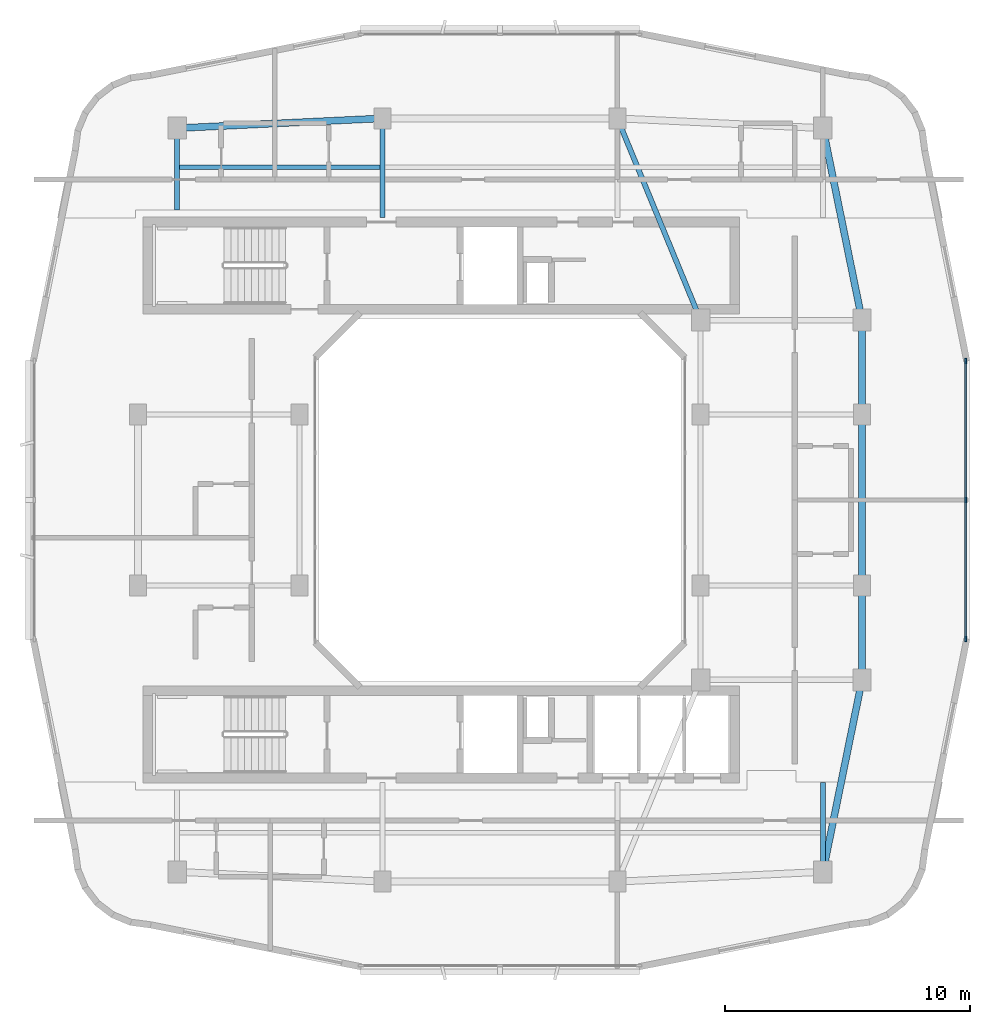
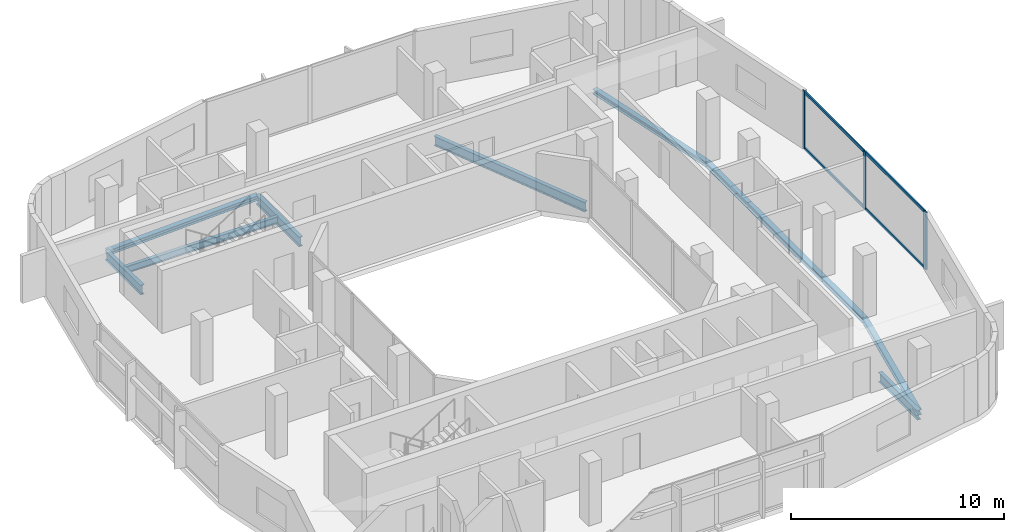
# One storey, part 4 of 13: 11 beams, 7 members, 1 element without a shape of its own.
"""IFC4 building model written with IfcOpenShell, lengths in metres."""

from ifc_helpers import new_model, si_unit, derived_unit, direction, frame, origin, origin_2d, place, context, subcontext, project, spatial, rectangle, i_section, extrude, material, layer, layer_set, material_profile, profile_set, type_object, element, aggregate, save


model = new_model("IFC4")

# Units and contexts
model_context = context("Model", 3, precision=1e-05, world=origin(), true_north=direction((0.0, 1.0)))
body_context = subcontext(model_context, "Body", "Model", "MODEL_VIEW")
ifc_project = project(units=[si_unit("LENGTHUNIT", "METRE"), si_unit("AREAUNIT", "SQUARE_METRE"), si_unit("VOLUMEUNIT", "CUBIC_METRE"), si_unit("PLANEANGLEUNIT", "RADIAN"), si_unit("MASSUNIT", "GRAM", prefix="KILO"), derived_unit("THERMALTRANSMITTANCEUNIT", [(si_unit("POWERUNIT", "WATT"), 1), (si_unit("LENGTHUNIT", "METRE"), -2), (si_unit("THERMODYNAMICTEMPERATUREUNIT", "KELVIN"), -1)])], contexts=[model_context])

# Site, building, storey
site_placement = place(None, origin())
site = spatial("IfcSite", under=ifc_project, at=site_placement, CompositionType="ELEMENT")
building_placement = place(site_placement, origin())
building = spatial("IfcBuilding", under=site, at=building_placement, Name="Kivonza Crest Hotel", CompositionType="ELEMENT")
storey_placement = place(building_placement, frame((0.0, 0.0, 235.10009765625)))
storey = spatial("IfcBuildingStorey", under=building, at=storey_placement, Name="L64", CompositionType="ELEMENT", Elevation=235.10009765625)

# Beams
ifc_material_1 = material(Name="Steel S355", Category="steel")
ifc_material_profile_1 = material_profile(ifc_material_1, i_section(OverallWidth=0.280029296875, OverallDepth=0.280029296875, WebThickness=0.010498046875, FlangeThickness=0.01806640625, FilletRadius=0.02392578125, at=origin_2d()), Name="HEB 280")
ifc_profile_set_1 = profile_set([ifc_material_profile_1], Name="Steel S355")
beam_type_1 = type_object("IfcBeamType", Name="BM-HEB280", PredefinedType="SPANDREL", material=ifc_profile_set_1)
beam_1_placement = place(storey_placement, frame((34.199951171875, 9.800048828125, -0.420166015625), z_axis=(0.199730733965, 0.979850822273, 0.0), x_axis=(-0.979850822273, 0.199730733965, 0.0)))
element("IfcBeam", 1, at=beam_1_placement, inside=storey, type_object=beam_type_1, Name="Tower T1 L64 perimeter spandrel SE-PSE", PredefinedType="SPANDREL", context=body_context, shape_type="SweptSolid", body=[
    extrude(i_section(OverallWidth=0.280029296875, OverallDepth=0.280029296875, WebThickness=0.010498046875, FlangeThickness=0.01806640625, FilletRadius=0.02392578125, at=origin_2d()), origin(), (0.0, 0.0, 1.0), 8.01123046875),
])
beam_2_placement = place(storey_placement, frame((35.800048828125, 17.64990234375, -0.420166015625), z_axis=(0.0, 1.0, 0.0), x_axis=(-1.0, 0.0, 0.0)))
element("IfcBeam", 2, at=beam_2_placement, inside=storey, type_object=beam_type_1, Name="Tower T1 L64 perimeter spandrel PSE-E1", PredefinedType="SPANDREL", context=body_context, shape_type="SweptSolid", body=[
    extrude(i_section(OverallWidth=0.280029296875, OverallDepth=0.280029296875, WebThickness=0.010498046875, FlangeThickness=0.01806640625, FilletRadius=0.02392578125, at=origin_2d()), origin(), (0.0, 0.0, 1.0), 3.85009765625),
])
beam_3_placement = place(storey_placement, frame((35.800048828125, 21.5, -0.420166015625), z_axis=(0.0, 1.0, 0.0), x_axis=(-1.0, 0.0, 0.0)))
element("IfcBeam", 3, at=beam_3_placement, inside=storey, type_object=beam_type_1, Name="Tower T1 L64 perimeter spandrel E1-E2", PredefinedType="SPANDREL", context=body_context, shape_type="SweptSolid", body=[
    extrude(i_section(OverallWidth=0.280029296875, OverallDepth=0.280029296875, WebThickness=0.010498046875, FlangeThickness=0.01806640625, FilletRadius=0.02392578125, at=origin_2d()), origin(), (0.0, 0.0, 1.0), 7.0),
])
beam_4_placement = place(storey_placement, frame((35.800048828125, 28.5, -0.420166015625), z_axis=(0.0, 1.0, 0.0), x_axis=(-1.0, 0.0, 0.0)))
element("IfcBeam", 4, at=beam_4_placement, inside=storey, type_object=beam_type_1, Name="Tower T1 L64 perimeter spandrel E2-PNE", PredefinedType="SPANDREL", context=body_context, shape_type="SweptSolid", body=[
    extrude(i_section(OverallWidth=0.280029296875, OverallDepth=0.280029296875, WebThickness=0.010498046875, FlangeThickness=0.01806640625, FilletRadius=0.02392578125, at=origin_2d()), origin(), (0.0, 0.0, 1.0), 3.85009765625),
])
beam_5_placement = place(storey_placement, frame((35.800048828125, 32.35009765625, -0.420166015625), z_axis=(-0.199730733965, 0.979850822273, 0.0), x_axis=(-0.979850822273, -0.199730733965, 0.0)))
element("IfcBeam", 5, at=beam_5_placement, inside=storey, type_object=beam_type_1, Name="Tower T1 L64 perimeter spandrel PNE-NE", PredefinedType="SPANDREL", context=body_context, shape_type="SweptSolid", body=[
    extrude(i_section(OverallWidth=0.280029296875, OverallDepth=0.280029296875, WebThickness=0.010498046875, FlangeThickness=0.01806640625, FilletRadius=0.02392578125, at=origin_2d()), origin(), (0.0, 0.0, 1.0), 8.01123046875),
])
beam_6_placement = place(storey_placement, frame((16.199951171875, 40.60009765625, -0.420166015625), z_axis=(-0.998867283688, -0.047583080799, 0.0), x_axis=(0.047583080799, -0.998867283688, 0.0)))
element("IfcBeam", 6, at=beam_6_placement, inside=storey, type_object=beam_type_1, Name="Tower T1 L64 perimeter spandrel N1-NW", PredefinedType="SPANDREL", context=body_context, shape_type="SweptSolid", body=[
    extrude(i_section(OverallWidth=0.280029296875, OverallDepth=0.280029296875, WebThickness=0.010498046875, FlangeThickness=0.01806640625, FilletRadius=0.02392578125, at=origin_2d()), origin(), (0.0, 0.0, 1.0), 8.409423828125),
])
ifc_material_profile_2 = material_profile(ifc_material_1, i_section(OverallWidth=0.179931640625, OverallDepth=0.39990234375, WebThickness=0.008544921875, FlangeThickness=0.013427734375, FilletRadius=0.02099609375, at=origin_2d()), Name="IPE 400")
ifc_profile_set_2 = profile_set([ifc_material_profile_2], Name="Steel S355")
beam_type_2 = type_object("IfcBeamType", Name="BM-IPE400", PredefinedType="JOIST", material=ifc_profile_set_2)
beam_7_placement = place(storey_placement, frame((7.8798828125, 38.60009765625, -0.47998046875), z_axis=(1.0, 0.0, 0.0), x_axis=(0.0, 1.0, 0.0)))
element("IfcBeam", 7, at=beam_7_placement, inside=storey, type_object=beam_type_2, Name="Tower T1 L64 North-West floor joist", PredefinedType="JOIST", context=body_context, shape_type="SweptSolid", body=[
    extrude(i_section(OverallWidth=0.179931640625, OverallDepth=0.39990234375, WebThickness=0.008544921875, FlangeThickness=0.013427734375, FilletRadius=0.02099609375, at=origin_2d()), origin(), (0.0, 0.0, 1.0), 8.240234375),
])
ifc_material_profile_3 = material_profile(ifc_material_1, i_section(OverallWidth=0.2099609375, OverallDepth=0.550048828125, WebThickness=0.010986328125, FlangeThickness=0.01708984375, FilletRadius=0.02392578125, at=origin_2d()), Name="IPE 550")
ifc_profile_set_3 = profile_set([ifc_material_profile_3], Name="Steel S355")
beam_type_3 = type_object("IfcBeamType", Name="BM-IPE550", PredefinedType="BEAM", material=ifc_profile_set_3)
beam_8_placement = place(storey_placement, frame((25.800048828125, 40.60009765625, -0.55517578125), z_axis=(0.381022260404, -0.924565864109, 0.0), x_axis=(0.924565864109, 0.381022260404, 0.0)))
element("IfcBeam", 8, at=beam_8_placement, inside=storey, type_object=beam_type_3, Name="Tower T1 L64 primary girder N1-TNE", PredefinedType="BEAM", context=body_context, shape_type="SweptSolid", body=[
    extrude(i_section(OverallWidth=0.2099609375, OverallDepth=0.550048828125, WebThickness=0.010986328125, FlangeThickness=0.01708984375, FilletRadius=0.02392578125, at=origin_2d()), origin(), (0.0, 0.0, 1.0), 8.923095703125),
])
beam_9_placement = place(storey_placement, frame((34.199951171875, 9.800048828125, -0.55517578125), z_axis=(0.0, 1.0, 0.0), x_axis=(-1.0, 0.0, 0.0)))
element("IfcBeam", 9, at=beam_9_placement, inside=storey, type_object=beam_type_3, Name="Tower T1 L64 radial core girder RSE", PredefinedType="BEAM", context=body_context, shape_type="SweptSolid", body=[
    extrude(i_section(OverallWidth=0.2099609375, OverallDepth=0.550048828125, WebThickness=0.010986328125, FlangeThickness=0.01708984375, FilletRadius=0.02392578125, at=origin_2d()), origin(), (0.0, 0.0, 1.0), 3.64990234375),
])
beam_10_placement = place(storey_placement, frame((7.800048828125, 40.199951171875, -0.55517578125), z_axis=(0.0, -1.0, 0.0), x_axis=(1.0, 0.0, 0.0)))
element("IfcBeam", 10, at=beam_10_placement, inside=storey, type_object=beam_type_3, Name="Tower T1 L64 radial core girder RNW", PredefinedType="BEAM", context=body_context, shape_type="SweptSolid", body=[
    extrude(i_section(OverallWidth=0.2099609375, OverallDepth=0.550048828125, WebThickness=0.010986328125, FlangeThickness=0.01708984375, FilletRadius=0.02392578125, at=origin_2d()), origin(), (0.0, 0.0, 1.0), 3.349853515625),
])
beam_11_placement = place(storey_placement, frame((16.199951171875, 40.60009765625, -0.55517578125), z_axis=(0.0, -1.0, 0.0), x_axis=(1.0, 0.0, 0.0)))
element("IfcBeam", 11, at=beam_11_placement, inside=storey, type_object=beam_type_3, Name="Tower T1 L64 radial core girder RN1", PredefinedType="BEAM", context=body_context, shape_type="SweptSolid", body=[
    extrude(i_section(OverallWidth=0.2099609375, OverallDepth=0.550048828125, WebThickness=0.010986328125, FlangeThickness=0.01708984375, FilletRadius=0.02392578125, at=origin_2d()), origin(), (0.0, 0.0, 1.0), 4.050048828125),
])

# Curtain wall, members
ifc_material_2 = material(Name="Anodised bronze aluminium and low-E double glazing", Category="aluminium")
ifc_layer = layer(ifc_material_2, 0.179931640625)
ifc_layer_set = layer_set([ifc_layer], Name="Anodised bronze aluminium and low-E double glazing")
curtain_wall_type = type_object("IfcCurtainWallType", Name="CW-SYS-3", PredefinedType="NOTDEFINED", material=ifc_layer_set)
curtain_wall_placement = place(storey_placement, origin())
curtain_wall = element("IfcCurtainWall", 12, at=curtain_wall_placement, inside=storey, type_object=curtain_wall_type, Name="L64 unitised curtain wall CW-T1-L64-17", PredefinedType="NOTDEFINED")
ifc_material_3 = material(Name="Anodised bronze aluminium", Category="aluminium")
ifc_material_profile_4 = material_profile(ifc_material_3, rectangle(XDim=0.074951171875, YDim=0.219970703125, at=origin_2d()), Name="CW-M 75x220")
ifc_profile_set_4 = profile_set([ifc_material_profile_4], Name="Anodised bronze aluminium")
member_type_1 = type_object("IfcMemberType", Name="CW-MUL-75x220", PredefinedType="MULLION", material=ifc_profile_set_4)
member_1_placement = place(storey_placement, frame((40.0400390625, 19.3173828125, 0.0), z_axis=(0.0, 0.0, 1.0), x_axis=(-1.0, 0.0, 0.0)))
member_1 = element("IfcMember", 13, at=member_1_placement, type_object=member_type_1, Name="CW-3 mullion 1", PredefinedType="MULLION", context=body_context, shape_type="SweptSolid", body=[
    extrude(rectangle(XDim=0.074951171875, YDim=0.219970703125, at=origin_2d()), origin(), (0.0, 0.0, 1.0), 3.27978515625),
])
member_2_placement = place(storey_placement, frame((40.0400390625, 25.0, 0.0), z_axis=(0.0, 0.0, 1.0), x_axis=(-1.0, 0.0, 0.0)))
member_2 = element("IfcMember", 14, at=member_2_placement, type_object=member_type_1, Name="CW-3 mullion 2", PredefinedType="MULLION", context=body_context, shape_type="SweptSolid", body=[
    extrude(rectangle(XDim=0.074951171875, YDim=0.219970703125, at=origin_2d()), origin(), (0.0, 0.0, 1.0), 3.27978515625),
])
member_3_placement = place(storey_placement, frame((40.0400390625, 30.6826171875, 0.0), z_axis=(0.0, 0.0, 1.0), x_axis=(-1.0, 0.0, 0.0)))
member_3 = element("IfcMember", 15, at=member_3_placement, type_object=member_type_1, Name="CW-3 mullion 3", PredefinedType="MULLION", context=body_context, shape_type="SweptSolid", body=[
    extrude(rectangle(XDim=0.074951171875, YDim=0.219970703125, at=origin_2d()), origin(), (0.0, 0.0, 1.0), 3.27978515625),
])
ifc_material_profile_5 = material_profile(ifc_material_3, rectangle(XDim=0.074951171875, YDim=0.159912109375, at=origin_2d()), Name="CW-T 75x160")
ifc_profile_set_5 = profile_set([ifc_material_profile_5], Name="Anodised bronze aluminium")
member_type_2 = type_object("IfcMemberType", Name="CW-TRN-75x160", PredefinedType="USERDEFINED", material=ifc_profile_set_5)
member_4_placement = place(storey_placement, frame((40.0400390625, 19.35498046875, 0.037353515625), z_axis=(0.0, 1.0, 0.0), x_axis=(-1.0, 0.0, 0.0)))
member_4 = element("IfcMember", 16, at=member_4_placement, type_object=member_type_2, Name="CW-3 transom 1.1", ObjectType="TRANSOM", PredefinedType="USERDEFINED", context=body_context, shape_type="SweptSolid", body=[
    extrude(rectangle(XDim=0.074951171875, YDim=0.159912109375, at=origin_2d()), origin(), (0.0, 0.0, 1.0), 5.607421875),
])
member_5_placement = place(storey_placement, frame((40.0400390625, 19.35498046875, 3.242431640625), z_axis=(0.0, 1.0, 0.0), x_axis=(-1.0, 0.0, 0.0)))
member_5 = element("IfcMember", 17, at=member_5_placement, type_object=member_type_2, Name="CW-3 transom 1.2", ObjectType="TRANSOM", PredefinedType="USERDEFINED", context=body_context, shape_type="SweptSolid", body=[
    extrude(rectangle(XDim=0.074951171875, YDim=0.159912109375, at=origin_2d()), origin(), (0.0, 0.0, 1.0), 5.607421875),
])
member_6_placement = place(storey_placement, frame((40.0400390625, 25.03759765625, 0.037353515625), z_axis=(0.0, 1.0, 0.0), x_axis=(-1.0, 0.0, 0.0)))
member_6 = element("IfcMember", 18, at=member_6_placement, type_object=member_type_2, Name="CW-3 transom 2.1", ObjectType="TRANSOM", PredefinedType="USERDEFINED", context=body_context, shape_type="SweptSolid", body=[
    extrude(rectangle(XDim=0.074951171875, YDim=0.159912109375, at=origin_2d()), origin(), (0.0, 0.0, 1.0), 5.607421875),
])
member_7_placement = place(storey_placement, frame((40.0400390625, 25.03759765625, 3.242431640625), z_axis=(0.0, 1.0, 0.0), x_axis=(-1.0, 0.0, 0.0)))
member_7 = element("IfcMember", 19, at=member_7_placement, type_object=member_type_2, Name="CW-3 transom 2.2", ObjectType="TRANSOM", PredefinedType="USERDEFINED", context=body_context, shape_type="SweptSolid", body=[
    extrude(rectangle(XDim=0.074951171875, YDim=0.159912109375, at=origin_2d()), origin(), (0.0, 0.0, 1.0), 5.607421875),
])
aggregate(curtain_wall, [member_1, member_2, member_3, member_4, member_5, member_6, member_7])

save(model, "model.ifc")
